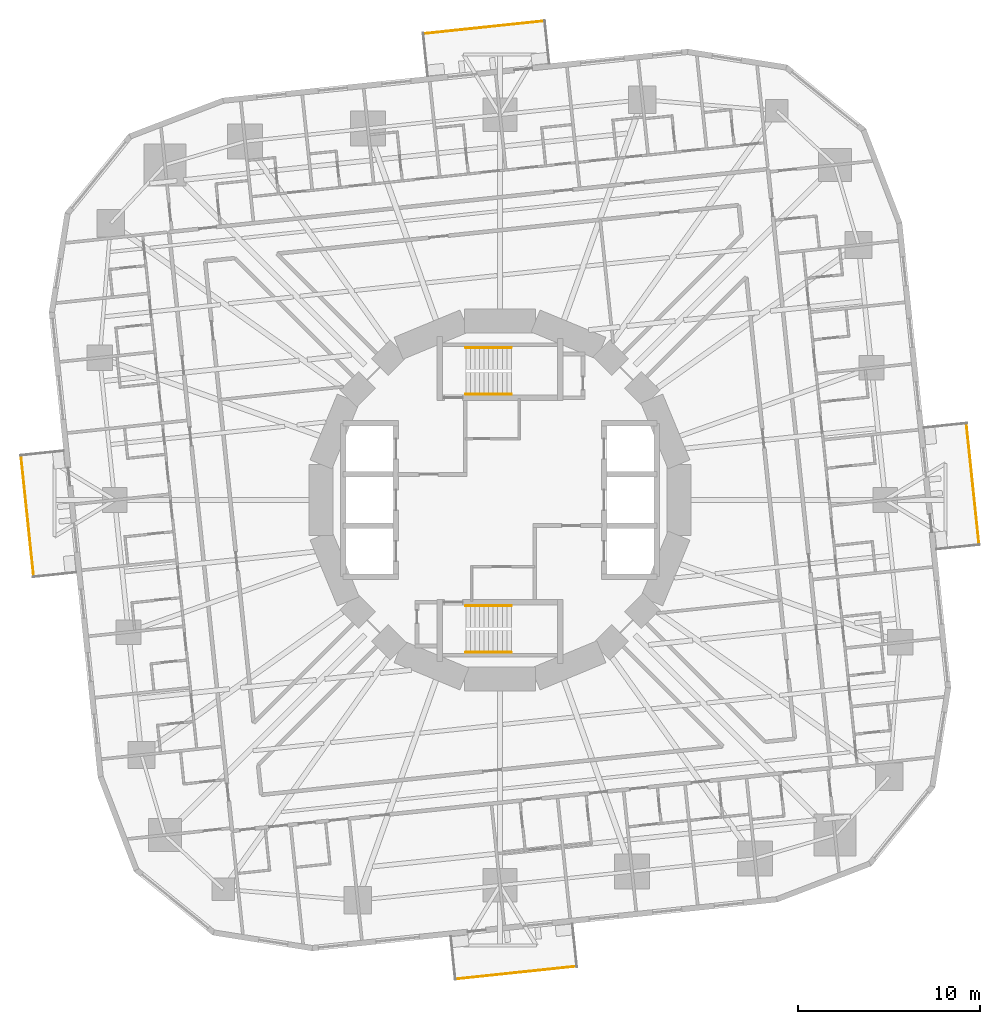
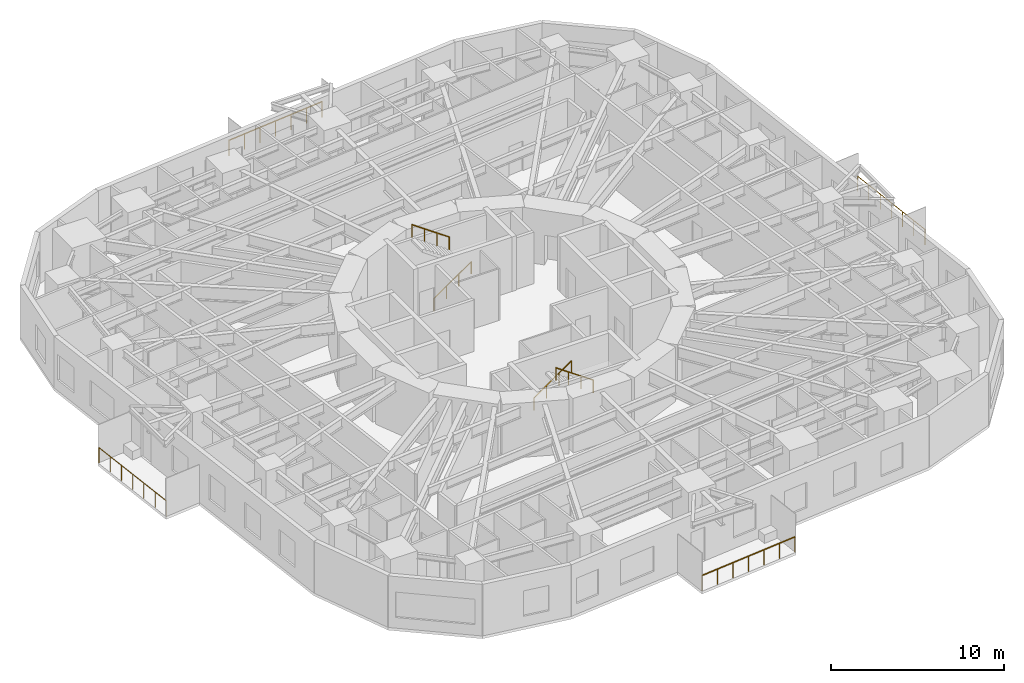
# One storey, part 14 of 15: 8 railings.
"""IFC4 building model written with IfcOpenShell, lengths in metres."""

from ifc_helpers import new_model, si_unit, direction, frame, origin, origin_2d, place, context, subcontext, project, spatial, circle, extrude, material, type_object, element, save


model = new_model("IFC4")

# Units and contexts
model_context = context("Model", 3, precision=1e-05, world=origin(), true_north=direction((0.0, 1.0)))
body_context = subcontext(model_context, "Body", "Model", "MODEL_VIEW")
ifc_project = project(units=[si_unit("LENGTHUNIT", "METRE"), si_unit("AREAUNIT", "SQUARE_METRE"), si_unit("VOLUMEUNIT", "CUBIC_METRE"), si_unit("PLANEANGLEUNIT", "RADIAN"), si_unit("MASSUNIT", "GRAM", prefix="KILO")], contexts=[model_context])

# Site, building, storey
site_placement = place(None, origin())
site = spatial("IfcSite", under=ifc_project, at=site_placement, CompositionType="ELEMENT")
building_placement = place(site_placement, origin())
building = spatial("IfcBuilding", under=site, at=building_placement, Name="Nakasero Lantern House", CompositionType="ELEMENT")
storey_placement = place(building_placement, frame((0.0, 0.0, 72.050048828125)))
storey = spatial("IfcBuildingStorey", under=building, at=storey_placement, Name="L17", CompositionType="ELEMENT", Elevation=72.050048828125)

# Railings
ifc_material_1 = material(Name="Aluminium 6063-T6", Category="aluminium")
railing_type_1 = type_object("IfcRailingType", Name="Balcony guard 1100", PredefinedType="BALUSTRADE", material=ifc_material_1)
railing_1_placement = place(storey_placement, frame((26.247802734375, -2.4296875, 0.0)))
element("IfcRailing", 1, at=railing_1_placement, inside=storey, type_object=railing_type_1, Name="Balcony guard L17 BAL0", PredefinedType="BALUSTRADE", context=body_context, shape_type="SweptSolid", body=[
    extrude(circle(Radius=0.02392578125, at=origin_2d()), frame((0.0, 0.0, 1.076171875), z_axis=(-0.104541525597, 0.994520522375, 0.0), x_axis=(-0.994520522375, -0.104541525597, 0.0)), (0.0, 0.0, 1.0), 6.6533203125),
    extrude(circle(Radius=0.02099609375, at=origin_2d()), origin(), (0.0, 0.0, 1.0), 1.052001953125),
    extrude(circle(Radius=0.02099609375, at=origin_2d()), frame((-0.115966796875, 1.102783203125, 0.0)), (0.0, 0.0, 1.0), 1.052001953125),
    extrude(circle(Radius=0.02099609375, at=origin_2d()), frame((-0.23193359375, 2.20556640625, 0.0)), (0.0, 0.0, 1.0), 1.052001953125),
    extrude(circle(Radius=0.02099609375, at=origin_2d()), frame((-0.34765625, 3.30859375, 0.0)), (0.0, 0.0, 1.0), 1.052001953125),
    extrude(circle(Radius=0.02099609375, at=origin_2d()), frame((-0.463623046875, 4.411376953125, 0.0)), (0.0, 0.0, 1.0), 1.052001953125),
    extrude(circle(Radius=0.02099609375, at=origin_2d()), frame((-0.57958984375, 5.51416015625, 0.0)), (0.0, 0.0, 1.0), 1.052001953125),
    extrude(circle(Radius=0.02099609375, at=origin_2d()), frame((-0.695556640625, 6.616943359375, 0.0)), (0.0, 0.0, 1.0), 1.052001953125),
])
railing_2_placement = place(storey_placement, frame((2.4296875, 26.247802734375, 0.0)))
element("IfcRailing", 2, at=railing_2_placement, inside=storey, type_object=railing_type_1, Name="Balcony guard L17 BAL1", PredefinedType="BALUSTRADE", context=body_context, shape_type="SweptSolid", body=[
    extrude(circle(Radius=0.02392578125, at=origin_2d()), frame((0.0, 0.0, 1.076171875), z_axis=(-0.994520522375, -0.104541525597, 0.0), x_axis=(0.104541525597, -0.994520522375, 0.0)), (0.0, 0.0, 1.0), 6.6533203125),
    extrude(circle(Radius=0.02099609375, at=origin_2d()), origin(), (0.0, 0.0, 1.0), 1.052001953125),
    extrude(circle(Radius=0.02099609375, at=origin_2d()), frame((-1.102783203125, -0.115966796875, 0.0)), (0.0, 0.0, 1.0), 1.052001953125),
    extrude(circle(Radius=0.02099609375, at=origin_2d()), frame((-2.20556640625, -0.23193359375, 0.0)), (0.0, 0.0, 1.0), 1.052001953125),
    extrude(circle(Radius=0.02099609375, at=origin_2d()), frame((-3.30859375, -0.34765625, 0.0)), (0.0, 0.0, 1.0), 1.052001953125),
    extrude(circle(Radius=0.02099609375, at=origin_2d()), frame((-4.411376953125, -0.463623046875, 0.0)), (0.0, 0.0, 1.0), 1.052001953125),
    extrude(circle(Radius=0.02099609375, at=origin_2d()), frame((-5.51416015625, -0.57958984375, 0.0)), (0.0, 0.0, 1.0), 1.052001953125),
    extrude(circle(Radius=0.02099609375, at=origin_2d()), frame((-6.616943359375, -0.695556640625, 0.0)), (0.0, 0.0, 1.0), 1.052001953125),
])
railing_3_placement = place(storey_placement, frame((-26.247802734375, 2.4296875, 0.0)))
element("IfcRailing", 3, at=railing_3_placement, inside=storey, type_object=railing_type_1, Name="Balcony guard L17 BAL2", PredefinedType="BALUSTRADE", context=body_context, shape_type="SweptSolid", body=[
    extrude(circle(Radius=0.02392578125, at=origin_2d()), frame((0.0, 0.0, 1.076171875), z_axis=(0.104541525597, -0.994520522375, 0.0), x_axis=(0.994520522375, 0.104541525597, 0.0)), (0.0, 0.0, 1.0), 6.6533203125),
    extrude(circle(Radius=0.02099609375, at=origin_2d()), origin(), (0.0, 0.0, 1.0), 1.052001953125),
    extrude(circle(Radius=0.02099609375, at=origin_2d()), frame((0.115966796875, -1.102783203125, 0.0)), (0.0, 0.0, 1.0), 1.052001953125),
    extrude(circle(Radius=0.02099609375, at=origin_2d()), frame((0.23193359375, -2.20556640625, 0.0)), (0.0, 0.0, 1.0), 1.052001953125),
    extrude(circle(Radius=0.02099609375, at=origin_2d()), frame((0.34765625, -3.30859375, 0.0)), (0.0, 0.0, 1.0), 1.052001953125),
    extrude(circle(Radius=0.02099609375, at=origin_2d()), frame((0.463623046875, -4.411376953125, 0.0)), (0.0, 0.0, 1.0), 1.052001953125),
    extrude(circle(Radius=0.02099609375, at=origin_2d()), frame((0.57958984375, -5.51416015625, 0.0)), (0.0, 0.0, 1.0), 1.052001953125),
    extrude(circle(Radius=0.02099609375, at=origin_2d()), frame((0.695556640625, -6.616943359375, 0.0)), (0.0, 0.0, 1.0), 1.052001953125),
])
railing_4_placement = place(storey_placement, frame((-2.4296875, -26.247802734375, 0.0)))
element("IfcRailing", 4, at=railing_4_placement, inside=storey, type_object=railing_type_1, Name="Balcony guard L17 BAL3", PredefinedType="BALUSTRADE", context=body_context, shape_type="SweptSolid", body=[
    extrude(circle(Radius=0.02392578125, at=origin_2d()), frame((0.0, 0.0, 1.076171875), z_axis=(0.994520522375, 0.104541525597, 0.0), x_axis=(-0.104541525597, 0.994520522375, 0.0)), (0.0, 0.0, 1.0), 6.6533203125),
    extrude(circle(Radius=0.02099609375, at=origin_2d()), origin(), (0.0, 0.0, 1.0), 1.052001953125),
    extrude(circle(Radius=0.02099609375, at=origin_2d()), frame((1.102783203125, 0.115966796875, 0.0)), (0.0, 0.0, 1.0), 1.052001953125),
    extrude(circle(Radius=0.02099609375, at=origin_2d()), frame((2.20556640625, 0.23193359375, 0.0)), (0.0, 0.0, 1.0), 1.052001953125),
    extrude(circle(Radius=0.02099609375, at=origin_2d()), frame((3.30859375, 0.34765625, 0.0)), (0.0, 0.0, 1.0), 1.052001953125),
    extrude(circle(Radius=0.02099609375, at=origin_2d()), frame((4.411376953125, 0.463623046875, 0.0)), (0.0, 0.0, 1.0), 1.052001953125),
    extrude(circle(Radius=0.02099609375, at=origin_2d()), frame((5.51416015625, 0.57958984375, 0.0)), (0.0, 0.0, 1.0), 1.052001953125),
    extrude(circle(Radius=0.02099609375, at=origin_2d()), frame((6.616943359375, 0.695556640625, 0.0)), (0.0, 0.0, 1.0), 1.052001953125),
])
ifc_material_2 = material(Name="Stainless steel 316", Category="steel")
railing_type_2 = type_object("IfcRailingType", Name="Stair handrail 900", PredefinedType="HANDRAIL", material=ifc_material_2)
railing_5_placement = place(storey_placement, frame((-1.875, 5.800048828125, 0.175048828125)))
element("IfcRailing", 5, at=railing_5_placement, inside=storey, type_object=railing_type_2, Name="Handrail ST1 L17 flight 1", PredefinedType="HANDRAIL", context=body_context, shape_type="SweptSolid", body=[
    extrude(circle(Radius=0.02392578125, at=origin_2d()), frame((0.0, 0.0, 0.8759765625), z_axis=(0.819231920519, 0.0, 0.573462344363), x_axis=(0.0, 1.0, 0.0)), (0.0, 0.0, 1.0), 3.0517578125),
    extrude(circle(Radius=0.02099609375, at=origin_2d()), origin(), (0.0, 0.0, 1.0), 0.851806640625),
    extrude(circle(Radius=0.02099609375, at=origin_2d()), frame((0.833251953125, 0.0, 0.583251953125)), (0.0, 0.0, 1.0), 0.851806640625),
    extrude(circle(Radius=0.02099609375, at=origin_2d()), frame((1.666748046875, 0.0, 1.166748046875)), (0.0, 0.0, 1.0), 0.851806640625),
    extrude(circle(Radius=0.02099609375, at=origin_2d()), frame((2.5, 0.0, 1.75)), (0.0, 0.0, 1.0), 0.851806640625),
])
railing_6_placement = place(storey_placement, frame((0.625, 8.35009765625, 2.099853515625)))
element("IfcRailing", 6, at=railing_6_placement, inside=storey, type_object=railing_type_2, Name="Handrail ST1 L17 flight 2", PredefinedType="HANDRAIL", context=body_context, shape_type="SweptSolid", body=[
    extrude(circle(Radius=0.02392578125, at=origin_2d()), frame((0.0, 0.0, 0.8759765625), z_axis=(-0.819231920519, 0.0, 0.573462344363), x_axis=(0.0, -1.0, 0.0)), (0.0, 0.0, 1.0), 3.0517578125),
    extrude(circle(Radius=0.02099609375, at=origin_2d()), origin(), (0.0, 0.0, 1.0), 0.851806640625),
    extrude(circle(Radius=0.02099609375, at=origin_2d()), frame((-0.833251953125, 0.0, 0.583251953125)), (0.0, 0.0, 1.0), 0.851806640625),
    extrude(circle(Radius=0.02099609375, at=origin_2d()), frame((-1.666748046875, 0.0, 1.166748046875)), (0.0, 0.0, 1.0), 0.851806640625),
    extrude(circle(Radius=0.02099609375, at=origin_2d()), frame((-2.5, 0.0, 1.75)), (0.0, 0.0, 1.0), 0.851806640625),
])
railing_7_placement = place(storey_placement, frame((-1.875, -5.800048828125, 0.175048828125)))
element("IfcRailing", 7, at=railing_7_placement, inside=storey, type_object=railing_type_2, Name="Handrail ST2 L17 flight 1", PredefinedType="HANDRAIL", context=body_context, shape_type="SweptSolid", body=[
    extrude(circle(Radius=0.02392578125, at=origin_2d()), frame((0.0, 0.0, 0.8759765625), z_axis=(0.819231920519, 0.0, 0.573462344363), x_axis=(0.0, 1.0, 0.0)), (0.0, 0.0, 1.0), 3.0517578125),
    extrude(circle(Radius=0.02099609375, at=origin_2d()), origin(), (0.0, 0.0, 1.0), 0.851806640625),
    extrude(circle(Radius=0.02099609375, at=origin_2d()), frame((0.833251953125, 0.0, 0.583251953125)), (0.0, 0.0, 1.0), 0.851806640625),
    extrude(circle(Radius=0.02099609375, at=origin_2d()), frame((1.666748046875, 0.0, 1.166748046875)), (0.0, 0.0, 1.0), 0.851806640625),
    extrude(circle(Radius=0.02099609375, at=origin_2d()), frame((2.5, 0.0, 1.75)), (0.0, 0.0, 1.0), 0.851806640625),
])
railing_8_placement = place(storey_placement, frame((0.625, -8.35009765625, 2.099853515625)))
element("IfcRailing", 8, at=railing_8_placement, inside=storey, type_object=railing_type_2, Name="Handrail ST2 L17 flight 2", PredefinedType="HANDRAIL", context=body_context, shape_type="SweptSolid", body=[
    extrude(circle(Radius=0.02392578125, at=origin_2d()), frame((0.0, 0.0, 0.8759765625), z_axis=(-0.819231920519, 0.0, 0.573462344363), x_axis=(0.0, -1.0, 0.0)), (0.0, 0.0, 1.0), 3.0517578125),
    extrude(circle(Radius=0.02099609375, at=origin_2d()), origin(), (0.0, 0.0, 1.0), 0.851806640625),
    extrude(circle(Radius=0.02099609375, at=origin_2d()), frame((-0.833251953125, 0.0, 0.583251953125)), (0.0, 0.0, 1.0), 0.851806640625),
    extrude(circle(Radius=0.02099609375, at=origin_2d()), frame((-1.666748046875, 0.0, 1.166748046875)), (0.0, 0.0, 1.0), 0.851806640625),
    extrude(circle(Radius=0.02099609375, at=origin_2d()), frame((-2.5, 0.0, 1.75)), (0.0, 0.0, 1.0), 0.851806640625),
])

save(model, "model.ifc")
